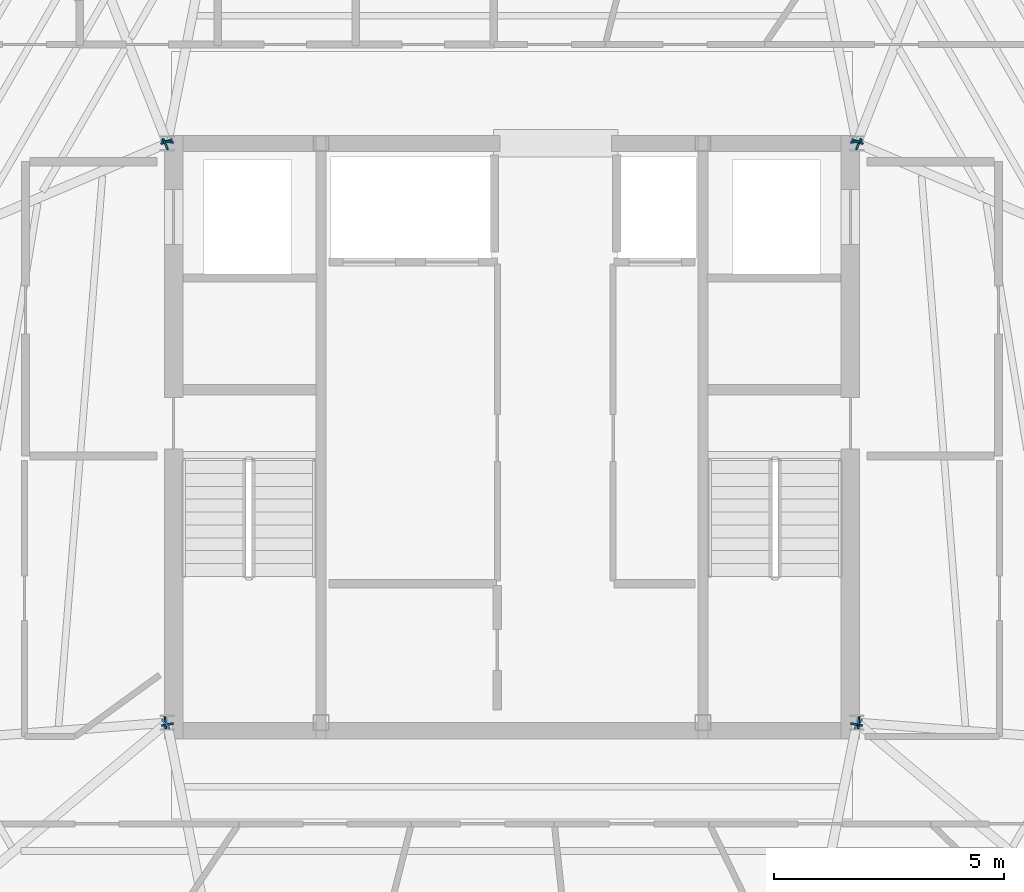
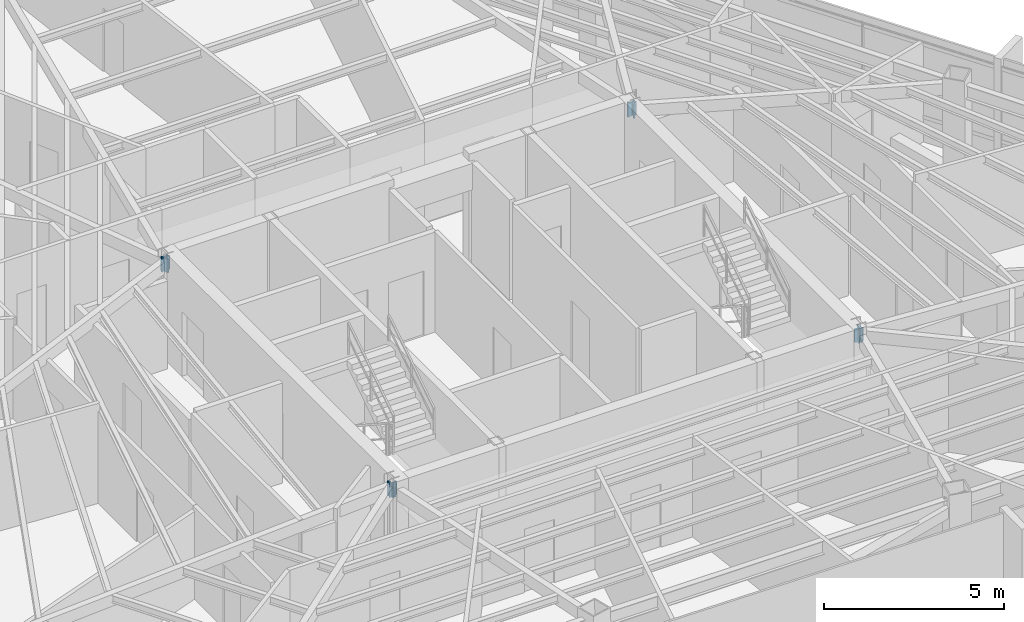
# One storey, part 40 of 46: 12 plates.
"""IFC4 building model written with IfcOpenShell, lengths in metres."""

import ifcopenshell
import ifcopenshell.guid

model = None  # the IFC model being written
_history = None  # IfcOwnerHistory: only IFC2X3 demands one
_inside = {}  # id of a spatial element -> (the spatial element, [elements in it])
_under = {}  # id of a project, library or spatial element -> (it, [spatial elements below it])
_declared = {}  # id of a project -> (the project, [libraries it declares])
_typed = {}  # id of a type object -> (the type object, [elements of that type])
_made_of = {}  # id of a material, layer set ... -> (it, [elements and type objects made of it])


def new_model(schema):
    """Start an empty IFC model of exactly this schema.

    Asked for "IFC4X3", IfcOpenShell would pick the latest addendum, in which some entities
    have other attributes; the version numbers below select the first issue.
    IFC2X3 requires an IfcOwnerHistory on every rooted entity: one is made here for all.
    """
    global model, _history
    if schema == "IFC4X3":
        model = ifcopenshell.file(schema_version=(4, 3, 0, 0))
    else:
        model = ifcopenshell.file(schema=schema)
    _inside.clear()
    _under.clear()
    _declared.clear()
    _typed.clear()
    _made_of.clear()
    _history = None
    if model.schema == "IFC2X3":
        org = make("IfcOrganization", Name="unknown")
        user = make(
            "IfcPersonAndOrganization",
            ThePerson=make("IfcPerson", FamilyName="unknown"),
            TheOrganization=org,
        )
        app = make(
            "IfcApplication",
            ApplicationDeveloper=org,
            Version="unknown",
            ApplicationFullName="unknown",
            ApplicationIdentifier="unknown",
        )
        _history = make(
            "IfcOwnerHistory",
            OwningUser=user,
            OwningApplication=app,
            ChangeAction="ADDED",
            CreationDate=0,
        )
    return model


def make(cls, **values):
    """One entity of the class cls with the attributes given. An attribute that is None is left unset."""
    return model.create_entity(
        cls, **{name: value for name, value in values.items() if value is not None}
    )


def rooted(cls, **values):
    """An entity with a GlobalId (a new one), such as an element, a storey or a relation."""
    return make(cls, GlobalId=ifcopenshell.guid.new(), OwnerHistory=_history, **values)


def si_unit(unit_type, name, prefix=None):
    """IfcSIUnit, for example si_unit("LENGTHUNIT", "METRE", prefix="MILLI")."""
    return make("IfcSIUnit", UnitType=unit_type, Prefix=prefix, Name=name)


def assignment(units):
    """IfcUnitAssignment: the units of a project."""
    return None if units is None else make("IfcUnitAssignment", Units=units)


def point(xyz):
    """IfcCartesianPoint."""
    return None if xyz is None else make("IfcCartesianPoint", Coordinates=xyz)


def direction(xyz):
    """IfcDirection."""
    return None if xyz is None else make("IfcDirection", DirectionRatios=xyz)


def frame(location, z_axis=None, x_axis=None):
    """IfcAxis2Placement3D, a coordinate frame: its origin and axes. An axis left out is left unset."""
    return make(
        "IfcAxis2Placement3D",
        Location=point(location),
        Axis=direction(z_axis),
        RefDirection=direction(x_axis),
    )


def frame_2d(location, x_axis=None):
    """IfcAxis2Placement2D, a coordinate frame in the plane: its origin and x axis."""
    return make(
        "IfcAxis2Placement2D", Location=point(location), RefDirection=direction(x_axis)
    )


def origin():
    """The frame at (0, 0, 0) with its axes left unset."""
    return frame((0.0, 0.0, 0.0))


def origin_2d():
    """The frame at (0, 0) in the plane with its x axis left unset."""
    return frame_2d((0.0, 0.0))


def place(relative_to, where):
    """IfcLocalPlacement: puts the frame where relative to a parent placement (None: the world)."""
    return make(
        "IfcLocalPlacement", PlacementRelTo=relative_to, RelativePlacement=where
    )


def context(
    kind, dimensions, precision=None, world=None, true_north=None, identifier=None
):
    """IfcGeometricRepresentationContext, for example the 3D "Model" context."""
    return make(
        "IfcGeometricRepresentationContext",
        ContextIdentifier=identifier,
        ContextType=kind,
        CoordinateSpaceDimension=dimensions,
        Precision=precision,
        WorldCoordinateSystem=world,
        TrueNorth=true_north,
    )


def subcontext(parent, identifier, kind, view, scale=None):
    """IfcGeometricRepresentationSubContext, for example "Body" below "Model"."""
    return make(
        "IfcGeometricRepresentationSubContext",
        ContextIdentifier=identifier,
        ContextType=kind,
        ParentContext=parent,
        TargetScale=scale,
        TargetView=view,
    )


def project(units=None, contexts=None):
    """IfcProject with its units and contexts."""
    return rooted(
        "IfcProject",
        Name="project",
        RepresentationContexts=contexts,
        UnitsInContext=assignment(units),
    )


def spatial(cls, under=None, at=None, **own):
    """A site, building, storey or space (cls), placed at a placement, below another one or the project."""
    s = rooted(cls, ObjectPlacement=at, **own)
    if under is not None:
        _under.setdefault(under.id(), (under, []))[1].append(s)
    return s


def profile(cls, at=None, kind="AREA", **sizes):
    """A parametric profile (cls). Its sizes go by their IFC names, for example OverallWidth=200.0."""
    return make(cls, ProfileType=kind, Position=at, **sizes)


def rectangle(**sizes):
    """IfcRectangleProfileDef."""
    return profile("IfcRectangleProfileDef", **sizes)


def extrude(swept, where, along, depth):
    """IfcExtrudedAreaSolid: the profile swept, set in the frame where, extruded along a direction by depth."""
    return make(
        "IfcExtrudedAreaSolid",
        SweptArea=swept,
        Position=where,
        ExtrudedDirection=direction(along),
        Depth=depth,
    )


def shape(context_of_items, identifier, shape_type, items):
    """IfcShapeRepresentation: the items that make up one representation, for example the "Body"."""
    return make(
        "IfcShapeRepresentation",
        ContextOfItems=context_of_items,
        RepresentationIdentifier=identifier,
        RepresentationType=shape_type,
        Items=items,
    )


def source(mapping_origin, context_of_items, identifier, shape_type, items):
    """IfcRepresentationMap: a shape defined once, which mapped items show again and again."""
    return make(
        "IfcRepresentationMap",
        MappingOrigin=mapping_origin,
        MappedRepresentation=shape(context_of_items, identifier, shape_type, items),
    )


def transform(
    local_origin,
    x_axis=None,
    y_axis=None,
    z_axis=None,
    scale=None,
    scale2=None,
    scale3=None,
    uniform=True,
):
    """IfcCartesianTransformationOperator3D, or its non-uniform kind. x_axis, y_axis, z_axis: its Axis1, 2, 3."""
    if uniform:
        return make(
            "IfcCartesianTransformationOperator3D",
            Axis1=direction(x_axis),
            Axis2=direction(y_axis),
            LocalOrigin=point(local_origin),
            Scale=scale,
            Axis3=direction(z_axis),
        )
    return make(
        "IfcCartesianTransformationOperator3DnonUniform",
        Axis1=direction(x_axis),
        Axis2=direction(y_axis),
        LocalOrigin=point(local_origin),
        Scale=scale,
        Axis3=direction(z_axis),
        Scale2=scale2,
        Scale3=scale3,
    )


def mapped(mapping_source, mapping_target):
    """IfcMappedItem: shows the shape of a source again, moved by a transform."""
    return make(
        "IfcMappedItem", MappingSource=mapping_source, MappingTarget=mapping_target
    )


def material(Name=None, Category=None):
    """IfcMaterial."""
    return make("IfcMaterial", Name=Name, Category=Category)


def layer(
    of_material, thickness, ventilated=None, Name=None, Category=None, Priority=None
):
    """IfcMaterialLayer: one layer of a wall or slab, of a material (None: an air gap)."""
    return make(
        "IfcMaterialLayer",
        Material=of_material,
        LayerThickness=thickness,
        IsVentilated=ventilated,
        Name=Name,
        Category=Category,
        Priority=Priority,
    )


def layer_set(layers, Name=None):
    """IfcMaterialLayerSet."""
    return make("IfcMaterialLayerSet", MaterialLayers=layers, LayerSetName=Name)


def made_of(thing, what):
    """Note that an element or type object is made of a material, layer set ...; save() writes the relation."""
    if what is not None:
        _made_of.setdefault(what.id(), (what, []))[1].append(thing)
    return thing


def type_object(cls, material=None, **own):
    """A type object (cls), such as IfcWallType, which elements share."""
    return made_of(rooted(cls, **own), material)


def type_shapes(of_type, sources):
    """Give a type object the sources (RepresentationMaps) that its elements show as mapped items."""
    of_type.RepresentationMaps = sources


def element(
    cls,
    number,
    at=None,
    inside=None,
    cuts=None,
    type_object=None,
    material=None,
    context=None,
    identifier="Body",
    shape_type=None,
    held_by="IfcProductDefinitionShape",
    body=None,
    shapes=None,
    **own,
):
    """One element of the class cls, such as IfcWall. Its Tag is "e" and its number.

    at: its placement. inside: the storey or other place that contains it. cuts: it is an
    opening in that element (IfcRelVoidsElement). A single representation is given by context,
    identifier, shape_type and body (its items); several are given by shapes. held_by: the class
    of the entity that holds the representations. save() writes the other relations.
    """
    e = rooted(cls, Tag="e%d" % number, ObjectPlacement=at, **own)
    if body is not None:
        shapes = [shape(context, identifier, shape_type, body)]
    if shapes is not None:
        e.Representation = make(held_by, Representations=shapes)
    if inside is not None:
        _inside.setdefault(inside.id(), (inside, []))[1].append(e)
    if cuts is not None:
        rooted(
            "IfcRelVoidsElement", RelatingBuildingElement=cuts, RelatedOpeningElement=e
        )
    if type_object is not None:
        _typed.setdefault(type_object.id(), (type_object, []))[1].append(e)
    return made_of(e, material)


def aggregate(whole, parts):
    """IfcRelAggregates: a whole, such as a stair, and the parts it consists of."""
    return rooted("IfcRelAggregates", RelatingObject=whole, RelatedObjects=parts)


def save(model, path):
    """Write the relations noted so far, then the file.

    IfcRelAggregates (storeys below a building ...), IfcRelContainedInSpatialStructure (elements
    in a storey), IfcRelDefinesByType, IfcRelAssociatesMaterial and IfcRelDeclares: one each for
    every whole, place, type object, material and project.
    """
    for whole, parts in _under.values():
        aggregate(whole, parts)
    for where, things in _inside.values():
        rooted(
            "IfcRelContainedInSpatialStructure",
            RelatedElements=things,
            RelatingStructure=where,
        )
    for kind, things in _typed.values():
        rooted("IfcRelDefinesByType", RelatedObjects=things, RelatingType=kind)
    for what, things in _made_of.values():
        rooted("IfcRelAssociatesMaterial", RelatedObjects=things, RelatingMaterial=what)
    for by, libraries in _declared.values():
        rooted("IfcRelDeclares", RelatingContext=by, RelatedDefinitions=libraries)
    model.write(path)


model = new_model("IFC4")

# Units and contexts
model_context = context("Model", 3, precision=1e-05, world=origin(), true_north=direction((0.0, 1.0)))
body_context = subcontext(model_context, "Body", "Model", "MODEL_VIEW")
ifc_project = project(units=[si_unit("LENGTHUNIT", "METRE"), si_unit("AREAUNIT", "SQUARE_METRE"), si_unit("VOLUMEUNIT", "CUBIC_METRE"), si_unit("PLANEANGLEUNIT", "RADIAN"), si_unit("MASSUNIT", "GRAM", prefix="KILO")], contexts=[model_context])

# Site, building, storey
site_placement = place(None, origin())
site = spatial("IfcSite", under=ifc_project, at=site_placement, CompositionType="ELEMENT")
building_placement = place(site_placement, origin())
building = spatial("IfcBuilding", under=site, at=building_placement, Name="Caelisora Broadcast Tower", CompositionType="ELEMENT")
storey_placement = place(building_placement, frame((0.0, 0.0, 237.14990234375)))
storey = spatial("IfcBuildingStorey", under=building, at=storey_placement, Name="L62", CompositionType="ELEMENT", Elevation=237.14990234375)

# Plates
ifc_material = material(Name="Steel Grade 350 L15 (AS/NZS 3678)", Category="steel")
ifc_layer = layer(ifc_material, 0.0400390625, Name="Steel Grade 350 L15 (AS/NZS 3678)")
ifc_layer_set = layer_set([ifc_layer], Name="Steel Grade 350 L15 (AS/NZS 3678)")
plate_type = type_object("IfcPlateType", Name="GP04", PredefinedType="USERDEFINED", material=ifc_layer_set)
shared_shape = source(origin(), body_context, "Body", "SweptSolid", [
    extrude(rectangle(XDim=0.260009765625, YDim=0.0400390625, at=origin_2d()), origin(), (0.0, 0.0, 1.0), 0.4599609375),
])
type_shapes(plate_type, [shared_shape])
for number, where, z_axis, x_axis, name in (
    (1, (45.4921875, 30.039306640625, 2.97021484375), (0.0, 0.0, 1.0), (-0.981124283255, -0.193378232506, 0.0), "L62 gusset plate GP04 (ND-RAD-L62-01)"),
    (2, (30.5078125, 30.039306640625, 2.97021484375), (0.0, 0.0, 1.0), (-0.981124283255, 0.193378232506, 0.0), "L62 gusset plate GP04 (ND-RAD-L62-02)"),
    (3, (30.485595703125, 30.037353515625, 2.97021484375), (0.0, 0.0, 1.0), (-0.931564372227, -0.363576429927, 0.0), "L62 gusset plate GP04 (ND-RAD-L62-03)"),
    (4, (30.463134765625, 29.984375, 2.97021484375), (0.0, 0.0, 1.0), (0.391052421488, -0.920368406481, 0.0), "L62 gusset plate GP04 (ND-RAD-L62-04)"),
    (5, (30.460205078125, 17.39697265625, 2.97021484375), (0.0, 0.0, 1.0), (0.074978726826, -0.997185133525, 0.0), "L62 gusset plate GP04 (ND-RAD-L62-05)"),
    (6, (30.46923828125, 17.374267578125, 2.97021484375), (0.0, 0.0, 1.0), (0.641985057521, -0.766717148576, 0.0), "L62 gusset plate GP04 (ND-RAD-L62-06)"),
    (7, (30.5078125, 17.36083984375, 2.97021484375), (0.0, 0.0, 1.0), (0.980819315149, 0.194919139722, 0.0), "L62 gusset plate GP04 (ND-RAD-L62-07)"),
    (8, (45.4921875, 17.36083984375, 2.97021484375), (0.0, 0.0, 1.0), (0.980819315149, -0.194919139722, 0.0), "L62 gusset plate GP04 (ND-RAD-L62-08)"),
    (9, (45.53076171875, 17.374267578125, 2.97021484375), (0.0, 0.0, 1.0), (0.641985057521, 0.766717148576, 0.0), "L62 gusset plate GP04 (ND-RAD-L62-09)"),
    (10, (45.539794921875, 17.39697265625, 2.97021484375), (0.0, 0.0, 1.0), (0.074978726826, 0.997185133525, 0.0), "L62 gusset plate GP04 (ND-RAD-L62-10)"),
    (11, (45.536865234375, 29.984375, 2.97021484375), (0.0, 0.0, 1.0), (0.391052421488, 0.920368406481, 0.0), "L62 gusset plate GP04 (ND-RAD-L62-11)"),
    (12, (45.514404296875, 30.037353515625, 2.97021484375), (0.0, 0.0, 1.0), (-0.931564372227, 0.363576429927, 0.0), "L62 gusset plate GP04 (ND-RAD-L62-12)"),
):
    element("IfcPlate", number, at=place(storey_placement, frame(where, z_axis=z_axis, x_axis=x_axis)), inside=storey, type_object=plate_type, Name=name, ObjectType="GUSSET PLATE", PredefinedType="USERDEFINED", context=body_context, shape_type="MappedRepresentation", body=[
        mapped(shared_shape, transform((0.0, 0.0, 0.0), scale=1.0)),
    ])

save(model, "model.ifc")
